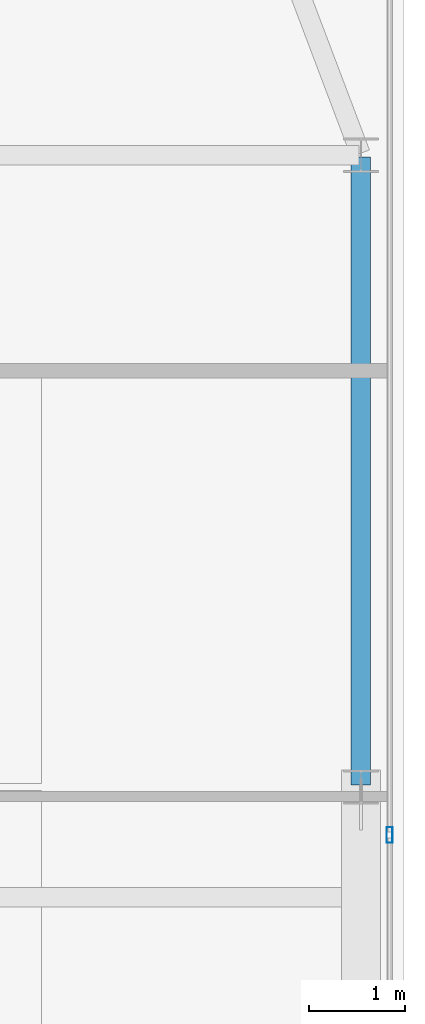
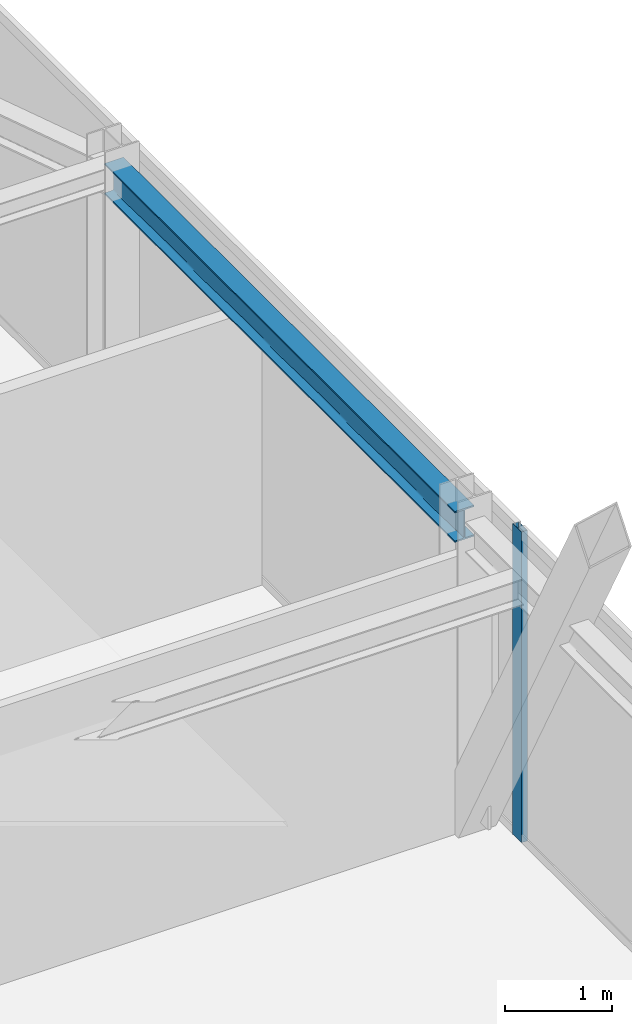
# One storey, part 19 of 31: 1 beam, 1 member, 1 element without a shape of its own.
"""IFC4 building model written with IfcOpenShell, lengths in metres."""

from ifc_helpers import new_model, si_unit, direction, frame, origin, origin_2d, place, context, subcontext, project, spatial, hollow_rectangle, i_section, extrude, source, transform, mapped, material, layer, layer_set, material_profile, profile_set, type_object, type_shapes, element, aggregate, save


model = new_model("IFC4")

# Units and contexts
model_context = context("Model", 3, precision=1e-05, world=origin(), true_north=direction((0.0, 1.0)))
body_context = subcontext(model_context, "Body", "Model", "MODEL_VIEW")
ifc_project = project(units=[si_unit("LENGTHUNIT", "METRE"), si_unit("AREAUNIT", "SQUARE_METRE"), si_unit("VOLUMEUNIT", "CUBIC_METRE"), si_unit("PLANEANGLEUNIT", "RADIAN"), si_unit("MASSUNIT", "GRAM", prefix="KILO")], contexts=[model_context])

# Site, building, storey
site_placement = place(None, origin())
site = spatial("IfcSite", under=ifc_project, at=site_placement, CompositionType="ELEMENT")
building_placement = place(site_placement, origin())
building = spatial("IfcBuilding", under=site, at=building_placement, Name="Varnel Quay Broadcast Tower", CompositionType="ELEMENT")
storey_placement = place(building_placement, frame((0.0, 0.0, 215.0)))
storey = spatial("IfcBuildingStorey", under=building, at=storey_placement, Name="L53", CompositionType="ELEMENT", Elevation=215.0)

# Beam
ifc_material_1 = material(Name="Structural Steel CSA G40.21 350W", Category="steel")
ifc_material_profile_1 = material_profile(ifc_material_1, i_section(OverallWidth=0.205078125, OverallDepth=0.35400390625, WebThickness=0.009521484375, FlangeThickness=0.016845703125, FilletRadius=0.012939453125, at=origin_2d()), Name="W360X79")
ifc_profile_set_1 = profile_set([ifc_material_profile_1], Name="Structural Steel CSA G40.21 350W")
beam_type = type_object("IfcBeamType", Name="Beam_W360X79", PredefinedType="SPANDREL", material=ifc_profile_set_1)
shared_shape_1 = source(origin(), body_context, "Body", "SweptSolid", [
    extrude(i_section(OverallWidth=0.205078125, OverallDepth=0.35400390625, WebThickness=0.009521484375, FlangeThickness=0.016845703125, FilletRadius=0.012939453125, at=origin_2d()), origin(), (0.0, 0.0, 1.0), 6.56005859375),
])
type_shapes(beam_type, [shared_shape_1])
beam_placement = place(storey_placement, frame((58.050048828125, 29.02001953125, 3.373046875), z_axis=(0.0, 1.0, 0.0), x_axis=(-1.0, 0.0, 0.0)))
element("IfcBeam", 1, at=beam_placement, inside=storey, type_object=beam_type, Name="L53 East Spandrel TC-E2-TC-E3", PredefinedType="SPANDREL", context=body_context, shape_type="MappedRepresentation", body=[
    mapped(shared_shape_1, transform((0.0, 0.0, 0.0), x_axis=(1.0, 0.0, 0.0), y_axis=(0.0, 1.0, 0.0), z_axis=(0.0, 0.0, 1.0), scale=1.0)),
])

# Curtain wall, member
ifc_material_2 = material(Name="Anodised Bronze Aluminium 6063-T6", Category="aluminium")
ifc_layer = layer(ifc_material_2, 0.18994140625, Name="Anodised Bronze Aluminium 6063-T6")
ifc_layer_set = layer_set([ifc_layer], Name="Anodised Bronze Aluminium 6063-T6")
curtain_wall_type = type_object("IfcCurtainWallType", Name="CW_UpperTower", PredefinedType="NOTDEFINED", material=ifc_layer_set)
curtain_wall_placement = place(storey_placement, origin())
curtain_wall = element("IfcCurtainWall", 2, at=curtain_wall_placement, inside=storey, type_object=curtain_wall_type, Name="L53 East Unitised Curtain Wall", PredefinedType="NOTDEFINED")
ifc_material_profile_2 = material_profile(ifc_material_2, hollow_rectangle(XDim=0.06494140625, YDim=0.1650390625, WallThickness=0.00341796875, at=origin_2d()), Name="ALU65X165X3.5")
ifc_profile_set_2 = profile_set([ifc_material_profile_2], Name="Anodised Bronze Aluminium 6063-T6")
member_type = type_object("IfcMemberType", Name="Mull_CWS-03", PredefinedType="MULLION", material=ifc_profile_set_2)
shared_shape_2 = source(origin(), body_context, "Body", "SweptSolid", [
    extrude(hollow_rectangle(XDim=0.06494140625, YDim=0.1650390625, WallThickness=0.00341796875, at=origin_2d()), origin(), (0.0, 0.0, 1.0), 3.550048828125),
])
type_shapes(member_type, [shared_shape_2])
member_placement = place(storey_placement, frame((58.35009765625, 28.5, 0.0), z_axis=(0.0, 0.0, 1.0), x_axis=(-1.0, 0.0, 0.0)))
member = element("IfcMember", 3, at=member_placement, type_object=member_type, Name="CWS-03 mullion 2", PredefinedType="MULLION", context=body_context, shape_type="MappedRepresentation", body=[
    mapped(shared_shape_2, transform((0.0, 0.0, 0.0), x_axis=(1.0, 0.0, 0.0), y_axis=(0.0, 1.0, 0.0), z_axis=(0.0, 0.0, 1.0), scale=1.0)),
])
aggregate(curtain_wall, [member])

save(model, "model.ifc")
